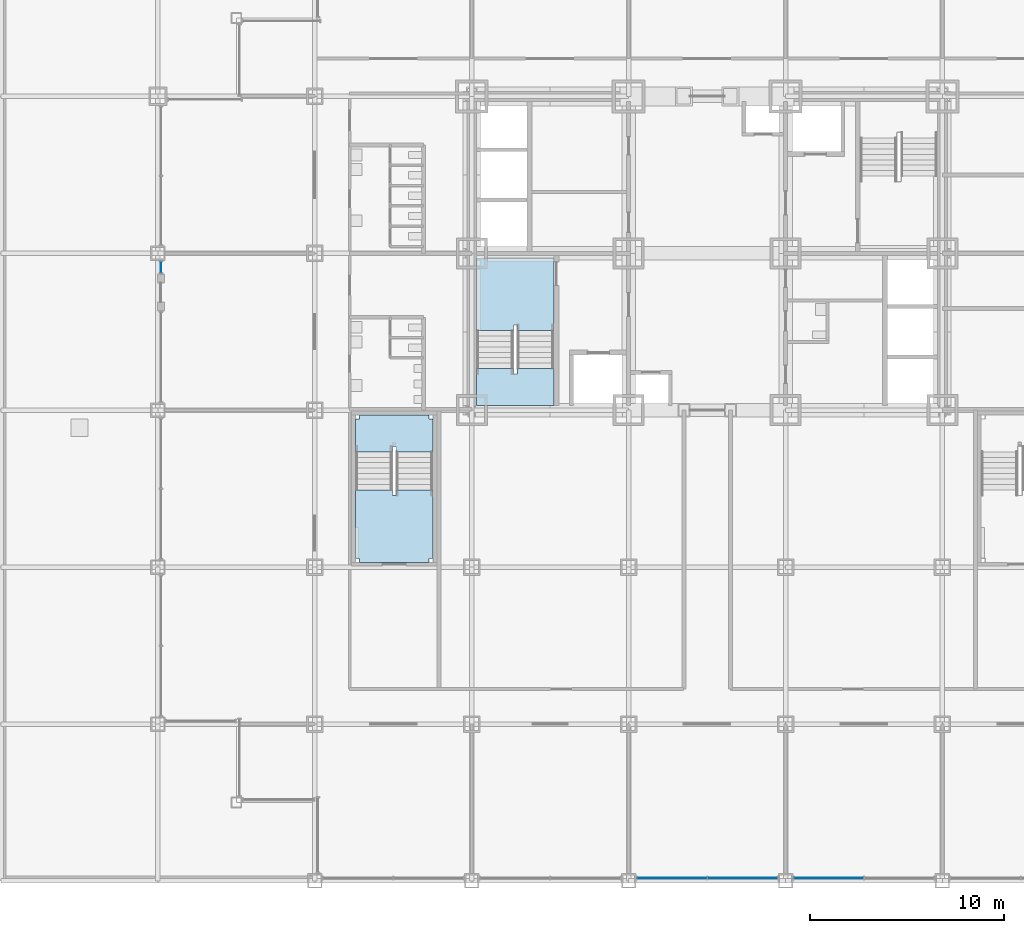
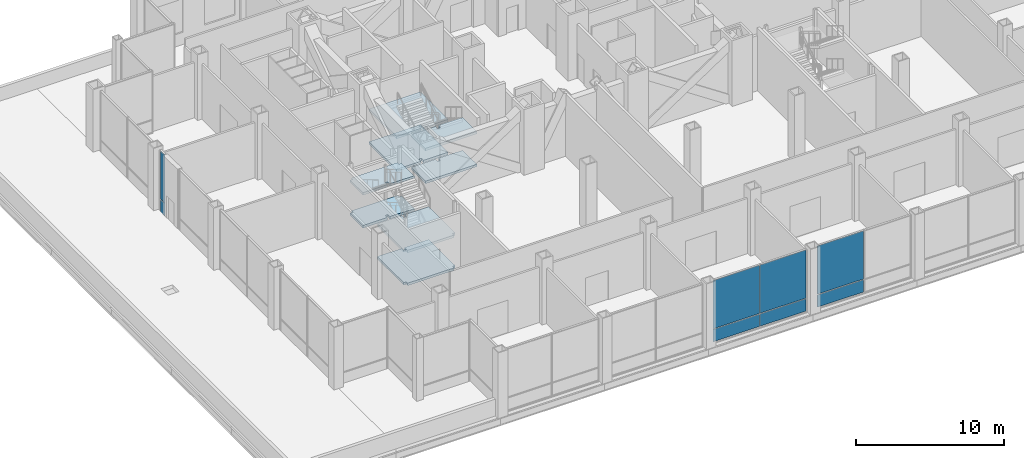
# One storey, part 17 of 26: 8 plates, 8 slabs, 5 elements without a shape of their own.
"""IFC4 building model written with IfcOpenShell, lengths in metres."""

import ifcopenshell
import ifcopenshell.guid

model = None  # the IFC model being written
_history = None  # IfcOwnerHistory: only IFC2X3 demands one
_inside = {}  # id of a spatial element -> (the spatial element, [elements in it])
_under = {}  # id of a project, library or spatial element -> (it, [spatial elements below it])
_declared = {}  # id of a project -> (the project, [libraries it declares])
_typed = {}  # id of a type object -> (the type object, [elements of that type])
_made_of = {}  # id of a material, layer set ... -> (it, [elements and type objects made of it])


def new_model(schema):
    """Start an empty IFC model of exactly this schema.

    Asked for "IFC4X3", IfcOpenShell would pick the latest addendum, in which some entities
    have other attributes; the version numbers below select the first issue.
    IFC2X3 requires an IfcOwnerHistory on every rooted entity: one is made here for all.
    """
    global model, _history
    if schema == "IFC4X3":
        model = ifcopenshell.file(schema_version=(4, 3, 0, 0))
    else:
        model = ifcopenshell.file(schema=schema)
    _inside.clear()
    _under.clear()
    _declared.clear()
    _typed.clear()
    _made_of.clear()
    _history = None
    if model.schema == "IFC2X3":
        org = make("IfcOrganization", Name="unknown")
        user = make(
            "IfcPersonAndOrganization",
            ThePerson=make("IfcPerson", FamilyName="unknown"),
            TheOrganization=org,
        )
        app = make(
            "IfcApplication",
            ApplicationDeveloper=org,
            Version="unknown",
            ApplicationFullName="unknown",
            ApplicationIdentifier="unknown",
        )
        _history = make(
            "IfcOwnerHistory",
            OwningUser=user,
            OwningApplication=app,
            ChangeAction="ADDED",
            CreationDate=0,
        )
    return model


def make(cls, **values):
    """One entity of the class cls with the attributes given. An attribute that is None is left unset."""
    return model.create_entity(
        cls, **{name: value for name, value in values.items() if value is not None}
    )


def rooted(cls, **values):
    """An entity with a GlobalId (a new one), such as an element, a storey or a relation."""
    return make(cls, GlobalId=ifcopenshell.guid.new(), OwnerHistory=_history, **values)


def si_unit(unit_type, name, prefix=None):
    """IfcSIUnit, for example si_unit("LENGTHUNIT", "METRE", prefix="MILLI")."""
    return make("IfcSIUnit", UnitType=unit_type, Prefix=prefix, Name=name)


def assignment(units):
    """IfcUnitAssignment: the units of a project."""
    return None if units is None else make("IfcUnitAssignment", Units=units)


def point(xyz):
    """IfcCartesianPoint."""
    return None if xyz is None else make("IfcCartesianPoint", Coordinates=xyz)


def direction(xyz):
    """IfcDirection."""
    return None if xyz is None else make("IfcDirection", DirectionRatios=xyz)


def frame(location, z_axis=None, x_axis=None):
    """IfcAxis2Placement3D, a coordinate frame: its origin and axes. An axis left out is left unset."""
    return make(
        "IfcAxis2Placement3D",
        Location=point(location),
        Axis=direction(z_axis),
        RefDirection=direction(x_axis),
    )


def frame_2d(location, x_axis=None):
    """IfcAxis2Placement2D, a coordinate frame in the plane: its origin and x axis."""
    return make(
        "IfcAxis2Placement2D", Location=point(location), RefDirection=direction(x_axis)
    )


def origin():
    """The frame at (0, 0, 0) with its axes left unset."""
    return frame((0.0, 0.0, 0.0))


def origin_2d():
    """The frame at (0, 0) in the plane with its x axis left unset."""
    return frame_2d((0.0, 0.0))


def place(relative_to, where):
    """IfcLocalPlacement: puts the frame where relative to a parent placement (None: the world)."""
    return make(
        "IfcLocalPlacement", PlacementRelTo=relative_to, RelativePlacement=where
    )


def context(
    kind, dimensions, precision=None, world=None, true_north=None, identifier=None
):
    """IfcGeometricRepresentationContext, for example the 3D "Model" context."""
    return make(
        "IfcGeometricRepresentationContext",
        ContextIdentifier=identifier,
        ContextType=kind,
        CoordinateSpaceDimension=dimensions,
        Precision=precision,
        WorldCoordinateSystem=world,
        TrueNorth=true_north,
    )


def subcontext(parent, identifier, kind, view, scale=None):
    """IfcGeometricRepresentationSubContext, for example "Body" below "Model"."""
    return make(
        "IfcGeometricRepresentationSubContext",
        ContextIdentifier=identifier,
        ContextType=kind,
        ParentContext=parent,
        TargetScale=scale,
        TargetView=view,
    )


def project(units=None, contexts=None):
    """IfcProject with its units and contexts."""
    return rooted(
        "IfcProject",
        Name="project",
        RepresentationContexts=contexts,
        UnitsInContext=assignment(units),
    )


def spatial(cls, under=None, at=None, **own):
    """A site, building, storey or space (cls), placed at a placement, below another one or the project."""
    s = rooted(cls, ObjectPlacement=at, **own)
    if under is not None:
        _under.setdefault(under.id(), (under, []))[1].append(s)
    return s


def polyline(points):
    """IfcPolyline through the points."""
    return make("IfcPolyline", Points=[point(p) for p in points])


def profile(cls, at=None, kind="AREA", **sizes):
    """A parametric profile (cls). Its sizes go by their IFC names, for example OverallWidth=200.0."""
    return make(cls, ProfileType=kind, Position=at, **sizes)


def rectangle(**sizes):
    """IfcRectangleProfileDef."""
    return profile("IfcRectangleProfileDef", **sizes)


def outline(outer, holes=None, kind="AREA"):
    """IfcArbitraryClosedProfileDef: a profile drawn as a closed curve; with holes, ...WithVoids."""
    if holes is None:
        return make("IfcArbitraryClosedProfileDef", ProfileType=kind, OuterCurve=outer)
    return make(
        "IfcArbitraryProfileDefWithVoids",
        ProfileType=kind,
        OuterCurve=outer,
        InnerCurves=holes,
    )


def extrude(swept, where, along, depth):
    """IfcExtrudedAreaSolid: the profile swept, set in the frame where, extruded along a direction by depth."""
    return make(
        "IfcExtrudedAreaSolid",
        SweptArea=swept,
        Position=where,
        ExtrudedDirection=direction(along),
        Depth=depth,
    )


def shape(context_of_items, identifier, shape_type, items):
    """IfcShapeRepresentation: the items that make up one representation, for example the "Body"."""
    return make(
        "IfcShapeRepresentation",
        ContextOfItems=context_of_items,
        RepresentationIdentifier=identifier,
        RepresentationType=shape_type,
        Items=items,
    )


def material(Name=None, Category=None):
    """IfcMaterial."""
    return make("IfcMaterial", Name=Name, Category=Category)


def layer(
    of_material, thickness, ventilated=None, Name=None, Category=None, Priority=None
):
    """IfcMaterialLayer: one layer of a wall or slab, of a material (None: an air gap)."""
    return make(
        "IfcMaterialLayer",
        Material=of_material,
        LayerThickness=thickness,
        IsVentilated=ventilated,
        Name=Name,
        Category=Category,
        Priority=Priority,
    )


def layer_set(layers, Name=None):
    """IfcMaterialLayerSet."""
    return make("IfcMaterialLayerSet", MaterialLayers=layers, LayerSetName=Name)


def made_of(thing, what):
    """Note that an element or type object is made of a material, layer set ...; save() writes the relation."""
    if what is not None:
        _made_of.setdefault(what.id(), (what, []))[1].append(thing)
    return thing


def type_object(cls, material=None, **own):
    """A type object (cls), such as IfcWallType, which elements share."""
    return made_of(rooted(cls, **own), material)


def element(
    cls,
    number,
    at=None,
    inside=None,
    cuts=None,
    type_object=None,
    material=None,
    context=None,
    identifier="Body",
    shape_type=None,
    held_by="IfcProductDefinitionShape",
    body=None,
    shapes=None,
    **own,
):
    """One element of the class cls, such as IfcWall. Its Tag is "e" and its number.

    at: its placement. inside: the storey or other place that contains it. cuts: it is an
    opening in that element (IfcRelVoidsElement). A single representation is given by context,
    identifier, shape_type and body (its items); several are given by shapes. held_by: the class
    of the entity that holds the representations. save() writes the other relations.
    """
    e = rooted(cls, Tag="e%d" % number, ObjectPlacement=at, **own)
    if body is not None:
        shapes = [shape(context, identifier, shape_type, body)]
    if shapes is not None:
        e.Representation = make(held_by, Representations=shapes)
    if inside is not None:
        _inside.setdefault(inside.id(), (inside, []))[1].append(e)
    if cuts is not None:
        rooted(
            "IfcRelVoidsElement", RelatingBuildingElement=cuts, RelatedOpeningElement=e
        )
    if type_object is not None:
        _typed.setdefault(type_object.id(), (type_object, []))[1].append(e)
    return made_of(e, material)


def aggregate(whole, parts):
    """IfcRelAggregates: a whole, such as a stair, and the parts it consists of."""
    return rooted("IfcRelAggregates", RelatingObject=whole, RelatedObjects=parts)


def save(model, path):
    """Write the relations noted so far, then the file.

    IfcRelAggregates (storeys below a building ...), IfcRelContainedInSpatialStructure (elements
    in a storey), IfcRelDefinesByType, IfcRelAssociatesMaterial and IfcRelDeclares: one each for
    every whole, place, type object, material and project.
    """
    for whole, parts in _under.values():
        aggregate(whole, parts)
    for where, things in _inside.values():
        rooted(
            "IfcRelContainedInSpatialStructure",
            RelatedElements=things,
            RelatingStructure=where,
        )
    for kind, things in _typed.values():
        rooted("IfcRelDefinesByType", RelatedObjects=things, RelatingType=kind)
    for what, things in _made_of.values():
        rooted("IfcRelAssociatesMaterial", RelatedObjects=things, RelatingMaterial=what)
    for by, libraries in _declared.values():
        rooted("IfcRelDeclares", RelatingContext=by, RelatedDefinitions=libraries)
    model.write(path)


model = new_model("IFC4")

# Units and contexts
model_context = context("Model", 3, precision=1e-05, world=origin(), true_north=direction((0.0, 1.0)))
body_context = subcontext(model_context, "Body", "Model", "MODEL_VIEW")
ifc_project = project(units=[si_unit("LENGTHUNIT", "METRE"), si_unit("AREAUNIT", "SQUARE_METRE"), si_unit("VOLUMEUNIT", "CUBIC_METRE"), si_unit("PLANEANGLEUNIT", "RADIAN"), si_unit("MASSUNIT", "GRAM", prefix="KILO")], contexts=[model_context])

# Site, building, storey
site_placement = place(None, origin())
site = spatial("IfcSite", under=ifc_project, at=site_placement, CompositionType="ELEMENT")
building_placement = place(site_placement, origin())
building = spatial("IfcBuilding", under=site, at=building_placement, Name="Kopane Lantern Tower", CompositionType="ELEMENT")
storey_placement = place(building_placement, frame((0.0, 0.0, 16.800048828125)))
storey = spatial("IfcBuildingStorey", under=building, at=storey_placement, Name="L03", CompositionType="ELEMENT", Elevation=16.800048828125)

# Curtain wall, plates
ifc_material_1 = material(Name="Aluminium and clear glass", Category="aluminium")
curtain_wall_type = type_object("IfcCurtainWallType", Name="CURTAIN WALL CW2 PODIUM UPPER", PredefinedType="USERDEFINED", material=ifc_material_1)
curtain_wall_1_placement = place(storey_placement, origin())
curtain_wall_1 = element("IfcCurtainWall", 1, at=curtain_wall_1_placement, inside=storey, type_object=curtain_wall_type, Name="Curtain wall CW2 S L03", ObjectType="CURTAIN WALL", PredefinedType="USERDEFINED")
ifc_material_2 = material(Name="Insulated clear glass unit", Category="glass")
ifc_layer_1 = layer(ifc_material_2, 0.030029296875)
ifc_layer_set_1 = layer_set([ifc_layer_1], Name="CURTAIN PANEL CW2-P 30")
plate_type = type_object("IfcPlateType", Name="CURTAIN PANEL CW2-P 30", PredefinedType="CURTAIN_PANEL", material=ifc_layer_set_1)
plate_1_placement = place(storey_placement, frame((26.530029296875, 0.14990234375, 0.06005859375), z_axis=(0.0, 0.0, 1.0), x_axis=(1.0, 0.0, 0.0)))
plate_1 = element("IfcPlate", 2, at=plate_1_placement, type_object=plate_type, Name="CW2 panel 1.1", PredefinedType="CURTAIN_PANEL", context=body_context, shape_type="SweptSolid", body=[
    extrude(rectangle(XDim=3.580078125, YDim=0.030029296875, at=origin_2d()), origin(), (0.0, 0.0, 1.0), 1.010009765625),
])
plate_2_placement = place(storey_placement, frame((26.530029296875, 0.14990234375, 1.1298828125), z_axis=(0.0, 0.0, 1.0), x_axis=(1.0, 0.0, 0.0)))
plate_2 = element("IfcPlate", 3, at=plate_2_placement, type_object=plate_type, Name="CW2 panel 1.2", PredefinedType="CURTAIN_PANEL", context=body_context, shape_type="SweptSolid", body=[
    extrude(rectangle(XDim=3.580078125, YDim=0.030029296875, at=origin_2d()), origin(), (0.0, 0.0, 1.0), 3.9599609375),
])
plate_3_placement = place(storey_placement, frame((30.169921875, 0.14990234375, 0.06005859375), z_axis=(0.0, 0.0, 1.0), x_axis=(1.0, 0.0, 0.0)))
plate_3 = element("IfcPlate", 4, at=plate_3_placement, type_object=plate_type, Name="CW2 panel 2.1", PredefinedType="CURTAIN_PANEL", context=body_context, shape_type="SweptSolid", body=[
    extrude(rectangle(XDim=3.580078125, YDim=0.030029296875, at=origin_2d()), origin(), (0.0, 0.0, 1.0), 1.010009765625),
])
plate_4_placement = place(storey_placement, frame((30.169921875, 0.14990234375, 1.1298828125), z_axis=(0.0, 0.0, 1.0), x_axis=(1.0, 0.0, 0.0)))
plate_4 = element("IfcPlate", 5, at=plate_4_placement, type_object=plate_type, Name="CW2 panel 2.2", PredefinedType="CURTAIN_PANEL", context=body_context, shape_type="SweptSolid", body=[
    extrude(rectangle(XDim=3.580078125, YDim=0.030029296875, at=origin_2d()), origin(), (0.0, 0.0, 1.0), 3.9599609375),
])
aggregate(curtain_wall_1, [plate_1, plate_2, plate_3, plate_4])

curtain_wall_2_placement = place(storey_placement, origin())
curtain_wall_2 = element("IfcCurtainWall", 6, at=curtain_wall_2_placement, inside=storey, type_object=curtain_wall_type, Name="Curtain wall CW2 S L03", ObjectType="CURTAIN WALL", PredefinedType="USERDEFINED")
plate_5_placement = place(storey_placement, frame((34.6298828125, 0.14990234375, 0.06005859375), z_axis=(0.0, 0.0, 1.0), x_axis=(1.0, 0.0, 0.0)))
plate_5 = element("IfcPlate", 7, at=plate_5_placement, type_object=plate_type, Name="CW2 panel 1.1", PredefinedType="CURTAIN_PANEL", context=body_context, shape_type="SweptSolid", body=[
    extrude(rectangle(XDim=3.580078125, YDim=0.030029296875, at=origin_2d()), origin(), (0.0, 0.0, 1.0), 1.010009765625),
])
plate_6_placement = place(storey_placement, frame((34.6298828125, 0.14990234375, 1.1298828125), z_axis=(0.0, 0.0, 1.0), x_axis=(1.0, 0.0, 0.0)))
plate_6 = element("IfcPlate", 8, at=plate_6_placement, type_object=plate_type, Name="CW2 panel 1.2", PredefinedType="CURTAIN_PANEL", context=body_context, shape_type="SweptSolid", body=[
    extrude(rectangle(XDim=3.580078125, YDim=0.030029296875, at=origin_2d()), origin(), (0.0, 0.0, 1.0), 3.9599609375),
])
aggregate(curtain_wall_2, [plate_5, plate_6])

curtain_wall_3_placement = place(storey_placement, origin())
curtain_wall_3 = element("IfcCurtainWall", 9, at=curtain_wall_3_placement, inside=storey, type_object=curtain_wall_type, Name="Curtain wall CW2 W L03", ObjectType="CURTAIN WALL", PredefinedType="USERDEFINED")
plate_7_placement = place(storey_placement, frame((0.14990234375, 31.672607421875, 0.06005859375), z_axis=(0.0, 0.0, 1.0), x_axis=(0.0, -1.0, 0.0)))
plate_7 = element("IfcPlate", 10, at=plate_7_placement, type_object=plate_type, Name="CW2 panel 1.1", PredefinedType="CURTAIN_PANEL", context=body_context, shape_type="SweptSolid", body=[
    extrude(rectangle(XDim=0.574951171875, YDim=0.030029296875, at=origin_2d()), origin(), (0.0, 0.0, 1.0), 1.010009765625),
])
plate_8_placement = place(storey_placement, frame((0.14990234375, 31.672607421875, 1.1298828125), z_axis=(0.0, 0.0, 1.0), x_axis=(0.0, -1.0, 0.0)))
plate_8 = element("IfcPlate", 11, at=plate_8_placement, type_object=plate_type, Name="CW2 panel 1.2", PredefinedType="CURTAIN_PANEL", context=body_context, shape_type="SweptSolid", body=[
    extrude(rectangle(XDim=0.574951171875, YDim=0.030029296875, at=origin_2d()), origin(), (0.0, 0.0, 1.0), 3.9599609375),
])
aggregate(curtain_wall_3, [plate_7, plate_8])

# Stair, slabs
ifc_material_3 = material(Name="Steel S355JR", Category="steel")
stair_type = type_object("IfcStairType", Name="EXIT STAIR 1900 HALF TURN", PredefinedType="HALF_TURN_STAIR", material=ifc_material_3)
stair_1_placement = place(storey_placement, origin())
stair_1 = element("IfcStair", 12, at=stair_1_placement, inside=storey, type_object=stair_type, Name="Exit stair ST1 L03", PredefinedType="HALF_TURN_STAIR")
ifc_material_4 = material(Name="Concrete C40/50", Category="concrete")
ifc_layer_2 = layer(ifc_material_4, 0.199951171875)
ifc_layer_set_2 = layer_set([ifc_layer_2], Name="STAIR LANDING 200")
slab_type = type_object("IfcSlabType", Name="STAIR LANDING 200", PredefinedType="LANDING", material=ifc_layer_set_2)
slab_1_placement = place(storey_placement, frame((0.0, 0.0, -0.199951171875)))
slab_1 = element("IfcSlab", 13, at=slab_1_placement, type_object=slab_type, Name="ST1 landing 1", PredefinedType="LANDING", context=body_context, shape_type="SweptSolid", body=[
    extrude(outline(polyline([(18.35009765625, 28.68994140625), (18.550048828125, 28.68994140625), (18.550048828125, 28.409912109375), (20.449951171875, 28.409912109375), (20.449951171875, 32.14990234375), (16.449951171875, 32.14990234375), (16.449951171875, 28.409912109375), (18.35009765625, 28.409912109375), (18.35009765625, 28.68994140625)])), origin(), (0.0, 0.0, 1.0), 0.199951171875),
])
slab_2_placement = place(storey_placement, frame((0.0, 0.0, 1.14990234375)))
slab_2 = element("IfcSlab", 14, at=slab_2_placement, type_object=slab_type, Name="ST1 landing 2", PredefinedType="LANDING", context=body_context, shape_type="SweptSolid", body=[
    extrude(outline(polyline([(20.449951171875, 26.449951171875), (18.550048828125, 26.449951171875), (18.550048828125, 26.169921875), (18.35009765625, 26.169921875), (18.35009765625, 26.449951171875), (16.449951171875, 26.449951171875), (16.449951171875, 24.550048828125), (20.449951171875, 24.550048828125), (20.449951171875, 26.449951171875)])), origin(), (0.0, 0.0, 1.0), 0.199951171875),
])
slab_3_placement = place(storey_placement, frame((0.0, 0.0, 2.5)))
slab_3 = element("IfcSlab", 15, at=slab_3_placement, type_object=slab_type, Name="ST1 landing 3", PredefinedType="LANDING", context=body_context, shape_type="SweptSolid", body=[
    extrude(outline(polyline([(18.35009765625, 28.68994140625), (18.550048828125, 28.68994140625), (18.550048828125, 28.409912109375), (20.449951171875, 28.409912109375), (20.449951171875, 32.14990234375), (16.449951171875, 32.14990234375), (16.449951171875, 28.409912109375), (18.35009765625, 28.409912109375), (18.35009765625, 28.68994140625)])), origin(), (0.0, 0.0, 1.0), 0.199951171875),
])
slab_4_placement = place(storey_placement, frame((0.0, 0.0, 3.849853515625)))
slab_4 = element("IfcSlab", 16, at=slab_4_placement, type_object=slab_type, Name="ST1 landing 4", PredefinedType="LANDING", context=body_context, shape_type="SweptSolid", body=[
    extrude(outline(polyline([(20.449951171875, 26.449951171875), (18.550048828125, 26.449951171875), (18.550048828125, 26.169921875), (18.35009765625, 26.169921875), (18.35009765625, 26.449951171875), (16.449951171875, 26.449951171875), (16.449951171875, 24.550048828125), (20.449951171875, 24.550048828125), (20.449951171875, 26.449951171875)])), origin(), (0.0, 0.0, 1.0), 0.2001953125),
])
aggregate(stair_1, [slab_1, slab_2, slab_3, slab_4])

stair_2_placement = place(storey_placement, origin())
stair_2 = element("IfcStair", 17, at=stair_2_placement, inside=storey, type_object=stair_type, Name="Exit stair ST3 L03", PredefinedType="HALF_TURN_STAIR")
slab_5_placement = place(storey_placement, frame((0.0, 0.0, -0.199951171875)))
slab_5 = element("IfcSlab", 18, at=slab_5_placement, type_object=slab_type, Name="ST3 landing 1", PredefinedType="LANDING", context=body_context, shape_type="SweptSolid", body=[
    extrude(outline(polyline([(10.39990234375, 16.64990234375), (10.39990234375, 16.449951171875), (14.0, 16.449951171875), (14.0, 16.64990234375), (14.199951171875, 16.64990234375), (14.199951171875, 20.18994140625), (12.300048828125, 20.18994140625), (12.300048828125, 19.909912109375), (12.10009765625, 19.909912109375), (12.10009765625, 20.18994140625), (10.199951171875, 20.18994140625), (10.199951171875, 16.64990234375), (10.39990234375, 16.64990234375)])), origin(), (0.0, 0.0, 1.0), 0.199951171875),
])
slab_6_placement = place(storey_placement, frame((0.0, 0.0, 1.14990234375)))
slab_6 = element("IfcSlab", 19, at=slab_6_placement, type_object=slab_type, Name="ST3 landing 2", PredefinedType="LANDING", context=body_context, shape_type="SweptSolid", body=[
    extrude(outline(polyline([(10.39990234375, 23.85009765625), (10.199951171875, 23.85009765625), (10.199951171875, 22.14990234375), (12.10009765625, 22.14990234375), (12.10009765625, 22.429931640625), (12.300048828125, 22.429931640625), (12.300048828125, 22.14990234375), (14.199951171875, 22.14990234375), (14.199951171875, 23.85009765625), (14.0, 23.85009765625), (14.0, 24.050048828125), (10.39990234375, 24.050048828125), (10.39990234375, 23.85009765625)])), origin(), (0.0, 0.0, 1.0), 0.199951171875),
])
slab_7_placement = place(storey_placement, frame((0.0, 0.0, 2.5)))
slab_7 = element("IfcSlab", 20, at=slab_7_placement, type_object=slab_type, Name="ST3 landing 3", PredefinedType="LANDING", context=body_context, shape_type="SweptSolid", body=[
    extrude(outline(polyline([(10.39990234375, 16.64990234375), (10.39990234375, 16.449951171875), (14.0, 16.449951171875), (14.0, 16.64990234375), (14.199951171875, 16.64990234375), (14.199951171875, 20.18994140625), (12.300048828125, 20.18994140625), (12.300048828125, 19.909912109375), (12.10009765625, 19.909912109375), (12.10009765625, 20.18994140625), (10.199951171875, 20.18994140625), (10.199951171875, 16.64990234375), (10.39990234375, 16.64990234375)])), origin(), (0.0, 0.0, 1.0), 0.199951171875),
])
slab_8_placement = place(storey_placement, frame((0.0, 0.0, 3.849853515625)))
slab_8 = element("IfcSlab", 21, at=slab_8_placement, type_object=slab_type, Name="ST3 landing 4", PredefinedType="LANDING", context=body_context, shape_type="SweptSolid", body=[
    extrude(outline(polyline([(10.39990234375, 23.85009765625), (10.199951171875, 23.85009765625), (10.199951171875, 22.14990234375), (12.10009765625, 22.14990234375), (12.10009765625, 22.429931640625), (12.300048828125, 22.429931640625), (12.300048828125, 22.14990234375), (14.199951171875, 22.14990234375), (14.199951171875, 23.85009765625), (14.0, 23.85009765625), (14.0, 24.050048828125), (10.39990234375, 24.050048828125), (10.39990234375, 23.85009765625)])), origin(), (0.0, 0.0, 1.0), 0.2001953125),
])
aggregate(stair_2, [slab_5, slab_6, slab_7, slab_8])

save(model, "model.ifc")
